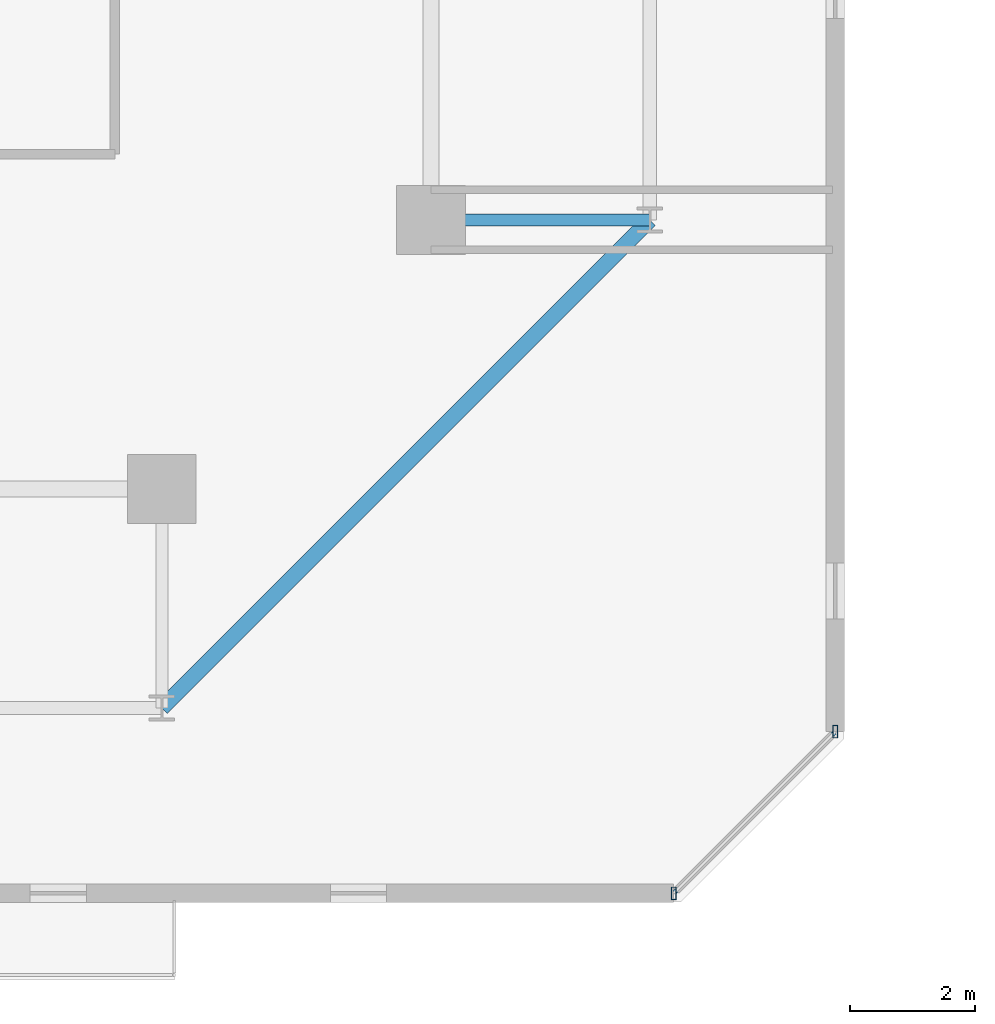
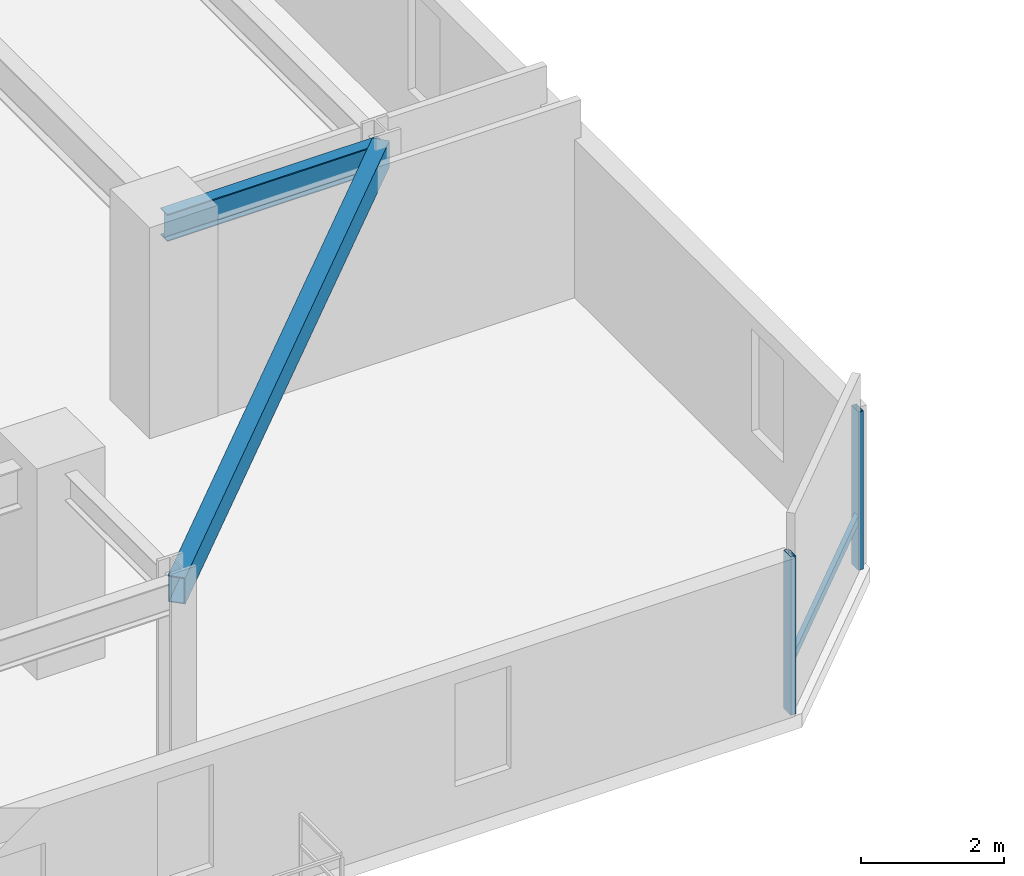
# One storey, part 5 of 33: 3 members, 2 beams, 1 element without a shape of its own.
"""IFC4 building model written with IfcOpenShell, lengths in metres."""

from ifc_helpers import new_model, si_unit, direction, frame, origin, origin_2d, place, context, subcontext, project, spatial, hollow_rectangle, i_section, extrude, material, material_profile, profile_set, type_object, element, aggregate, save


model = new_model("IFC4")

# Units and contexts
model_context = context("Model", 3, precision=1e-05, world=origin(), true_north=direction((0.0, 1.0)))
body_context = subcontext(model_context, "Body", "Model", "MODEL_VIEW")
ifc_project = project(units=[si_unit("LENGTHUNIT", "METRE"), si_unit("AREAUNIT", "SQUARE_METRE"), si_unit("VOLUMEUNIT", "CUBIC_METRE"), si_unit("PLANEANGLEUNIT", "RADIAN"), si_unit("MASSUNIT", "GRAM", prefix="KILO")], contexts=[model_context])

# Site, building, storey
site_placement = place(None, origin())
site = spatial("IfcSite", under=ifc_project, at=site_placement, CompositionType="ELEMENT")
building_placement = place(site_placement, origin())
building = spatial("IfcBuilding", under=site, at=building_placement, Name="Thornwick Lancets Civic Towers", CompositionType="ELEMENT")
storey_placement = place(building_placement, frame((0.0, 0.0, 167.10009765625)))
storey = spatial("IfcBuildingStorey", under=building, at=storey_placement, Name="L44", CompositionType="ELEMENT", Elevation=167.10009765625)

# Beams
ifc_material_1 = material(Name="Steel S355JR", Category="steel")
ifc_material_profile_1 = material_profile(ifc_material_1, i_section(OverallWidth=0.19189453125, OverallDepth=0.46337890625, WebThickness=0.010498046875, FlangeThickness=0.017578125, FilletRadius=0.01025390625, at=origin_2d()), Name="UKB 457x191x89")
ifc_profile_set_1 = profile_set([ifc_material_profile_1], Name="Steel S355JR")
beam_type_1 = type_object("IfcBeamType", Name="BM_JOIST_457_89", PredefinedType="JOIST", material=ifc_profile_set_1)
beam_1_placement = place(storey_placement, frame((42.800048828125, 14.0, 3.128173828125), z_axis=(1.0, 0.0, 0.0), x_axis=(0.0, 1.0, 0.0)))
element("IfcBeam", 1, at=beam_1_placement, inside=storey, type_object=beam_type_1, Name="BM-RAD-L44-A04", PredefinedType="JOIST", context=body_context, shape_type="SweptSolid", body=[
    extrude(i_section(OverallWidth=0.19189453125, OverallDepth=0.46337890625, WebThickness=0.010498046875, FlangeThickness=0.017578125, FilletRadius=0.01025390625, at=origin_2d()), origin(), (0.0, 0.0, 1.0), 3.5),
])
ifc_material_profile_2 = material_profile(ifc_material_1, hollow_rectangle(XDim=0.25, YDim=0.449951171875, WallThickness=0.01611328125, at=origin_2d()), Name="RHS 450x250x16")
ifc_profile_set_2 = profile_set([ifc_material_profile_2], Name="Steel S355JR")
beam_type_2 = type_object("IfcBeamType", Name="BM_RING_RHS450", PredefinedType="BEAM", material=ifc_profile_set_2)
beam_2_placement = place(storey_placement, frame((38.5, 6.199951171875, 3.135009765625), z_axis=(0.707106781187, 0.707106781187, 0.0), x_axis=(-0.707106781187, 0.707106781187, 0.0)))
element("IfcBeam", 2, at=beam_2_placement, inside=storey, type_object=beam_type_2, Name="BM-CHAMF-L44-A-C0", PredefinedType="BEAM", context=body_context, shape_type="SweptSolid", body=[
    extrude(hollow_rectangle(XDim=0.25, YDim=0.449951171875, WallThickness=0.01611328125, at=origin_2d()), origin(), (0.0, 0.0, 1.0), 11.031005859375),
])

# Curtain wall, members
ifc_material_2 = material(Name="Mid-zone chamfered-corner unitised glass curtain wall", Category="glass")
curtain_wall_type = type_object("IfcCurtainWallType", Name="CW_SYS_04", PredefinedType="NOTDEFINED", material=ifc_material_2)
curtain_wall_placement = place(storey_placement, origin())
curtain_wall = element("IfcCurtainWall", 3, at=curtain_wall_placement, inside=storey, type_object=curtain_wall_type, Name="L44 Curtain Wall CW-L44-A-E1", PredefinedType="NOTDEFINED")
ifc_material_3 = material(Name="Thermally broken bronze aluminium S355", Category="steel")
ifc_material_profile_3 = material_profile(ifc_material_3, hollow_rectangle(XDim=0.080078125, YDim=0.199951171875, WallThickness=0.006103515625, at=origin_2d()), Name="RHS 200x80x6")
ifc_profile_set_3 = profile_set([ifc_material_profile_3], Name="Thermally broken bronze aluminium S355")
member_type_1 = type_object("IfcMemberType", Name="CW_MUL_200", PredefinedType="MULLION", material=ifc_profile_set_3)
member_1_placement = place(storey_placement, frame((46.681396484375, 3.2353515625, 0.0), z_axis=(0.0, 0.0, 1.0), x_axis=(1.0, 0.0, 0.0)))
member_1 = element("IfcMember", 4, at=member_1_placement, type_object=member_type_1, Name="CW-L44-A-E1 Mullion 0", PredefinedType="MULLION", context=body_context, shape_type="SweptSolid", body=[
    extrude(hollow_rectangle(XDim=0.080078125, YDim=0.199951171875, WallThickness=0.006103515625, at=origin_2d()), origin(), (0.0, 0.0, 1.0), 2.699951171875),
])
member_2_placement = place(storey_placement, frame((49.2646484375, 5.818603515625, 0.0), z_axis=(0.0, 0.0, 1.0), x_axis=(1.0, 0.0, 0.0)))
member_2 = element("IfcMember", 5, at=member_2_placement, type_object=member_type_1, Name="CW-L44-A-E1 Mullion 1", PredefinedType="MULLION", context=body_context, shape_type="SweptSolid", body=[
    extrude(hollow_rectangle(XDim=0.080078125, YDim=0.199951171875, WallThickness=0.006103515625, at=origin_2d()), origin(), (0.0, 0.0, 1.0), 2.699951171875),
])
ifc_material_profile_4 = material_profile(ifc_material_3, hollow_rectangle(XDim=0.074951171875, YDim=0.14990234375, WallThickness=0.0048828125, at=origin_2d()), Name="RHS 150x75x5")
ifc_profile_set_4 = profile_set([ifc_material_profile_4], Name="Thermally broken bronze aluminium S355")
member_type_2 = type_object("IfcMemberType", Name="CW_TRN_150", PredefinedType="USERDEFINED", material=ifc_profile_set_4)
member_3_placement = place(storey_placement, frame((46.695556640625, 3.24951171875, 0.849853515625), z_axis=(0.707106781187, 0.707106781187, 0.0), x_axis=(-0.707106781187, 0.707106781187, 0.0)))
member_3 = element("IfcMember", 6, at=member_3_placement, type_object=member_type_2, Name="CW-L44-A-E1 Transom 0", ObjectType="TRANSOM", PredefinedType="USERDEFINED", context=body_context, shape_type="SweptSolid", body=[
    extrude(hollow_rectangle(XDim=0.074951171875, YDim=0.14990234375, WallThickness=0.0048828125, at=origin_2d()), origin(), (0.0, 0.0, 1.0), 3.61328125),
])
aggregate(curtain_wall, [member_1, member_2, member_3])

save(model, "model.ifc")
